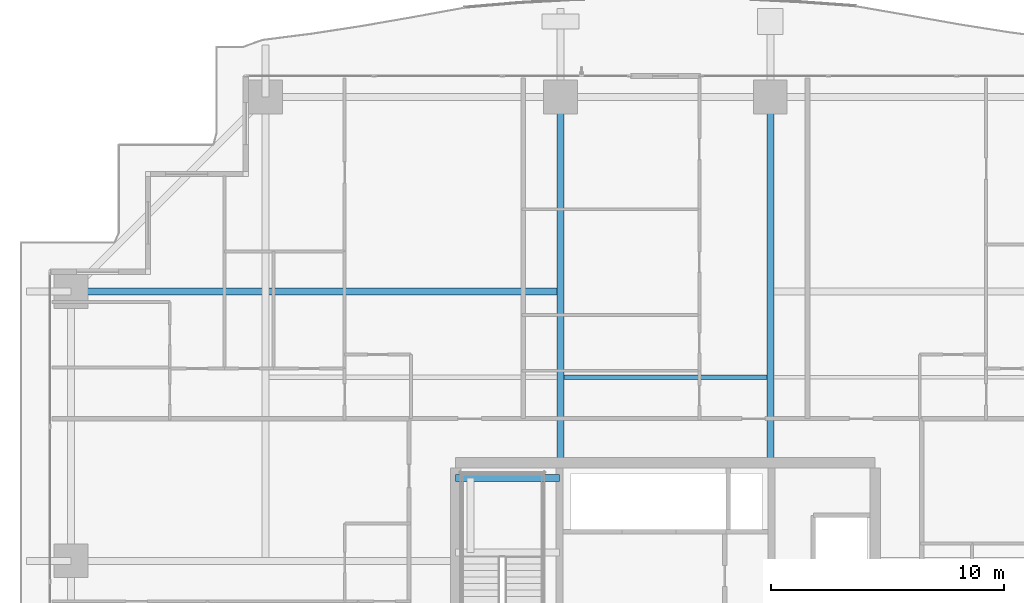
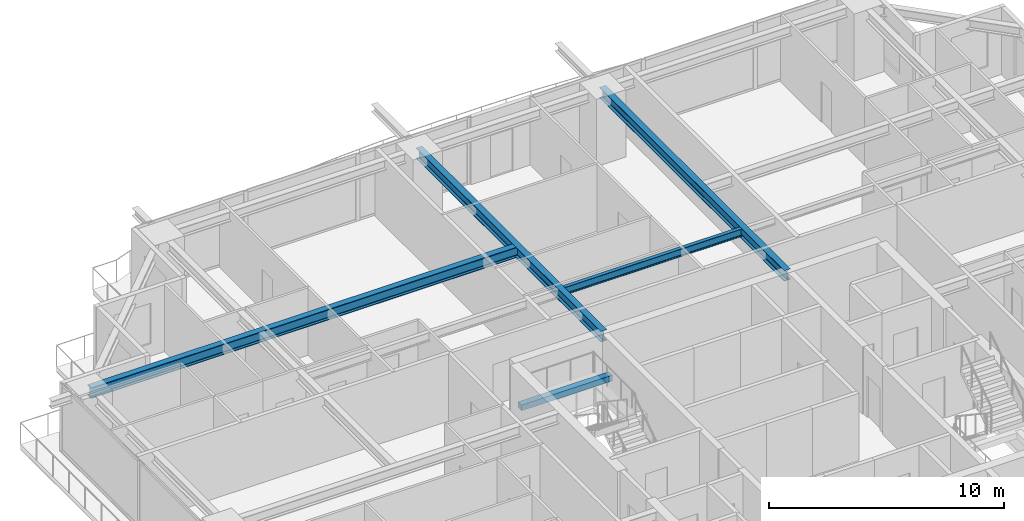
# One storey, part 19 of 38: 5 beams.
"""IFC4 building model written with IfcOpenShell, lengths in metres."""

from ifc_helpers import new_model, si_unit, direction, frame, origin, origin_2d, place, context, subcontext, project, spatial, rectangle, i_section, extrude, source, transform, mapped, material, material_profile, profile_set, type_object, element, save


model = new_model("IFC4")

# Units and contexts
model_context = context("Model", 3, precision=1e-05, world=origin(), true_north=direction((0.0, 1.0)))
body_context = subcontext(model_context, "Body", "Model", "MODEL_VIEW")
ifc_project = project(units=[si_unit("LENGTHUNIT", "METRE"), si_unit("AREAUNIT", "SQUARE_METRE"), si_unit("VOLUMEUNIT", "CUBIC_METRE"), si_unit("PLANEANGLEUNIT", "RADIAN"), si_unit("MASSUNIT", "GRAM", prefix="KILO")], contexts=[model_context])

# Site, building, storey
site_placement = place(None, origin())
site = spatial("IfcSite", under=ifc_project, at=site_placement, CompositionType="ELEMENT")
building_placement = place(site_placement, origin())
building = spatial("IfcBuilding", under=site, at=building_placement, Name="Serunith Strait Residences", CompositionType="ELEMENT")
storey_placement = place(building_placement, frame((0.0, 0.0, 30.449951171875)))
storey = spatial("IfcBuildingStorey", under=building, at=storey_placement, Name="L06", CompositionType="ELEMENT", Elevation=30.449951171875)

# Beams
ifc_material_1 = material(Name="Steel S355J2", Category="steel")
ifc_material_profile_1 = material_profile(ifc_material_1, i_section(OverallWidth=0.300048828125, OverallDepth=0.550048828125, WebThickness=0.014892578125, FlangeThickness=0.029052734375, FilletRadius=0.027099609375, at=origin_2d()), Name="HEB 550")
ifc_profile_set_1 = profile_set([ifc_material_profile_1], Name="Steel S355J2")
beam_type_1 = type_object("IfcBeamType", Name="BM-HEB550", PredefinedType="BEAM", material=ifc_profile_set_1)
shared_shape_1 = source(origin(), body_context, "Body", "SweptSolid", [
    extrude(i_section(OverallWidth=0.300048828125, OverallDepth=0.550048828125, WebThickness=0.014892578125, FlangeThickness=0.029052734375, FilletRadius=0.027099609375, at=origin_2d()), origin(), (0.0, 0.0, 1.0), 15.699951171875),
])
for number, where, z_axis, x_axis, name in (
    (1, (27.89990234375, 33.60009765625, 3.212158203125), (0.0, 1.0, 0.0), (-1.0, 0.0, 0.0), "L06 Primary Floor Girder TC-N2"),
    (2, (36.89990234375, 33.60009765625, 3.212158203125), (0.0, 1.0, 0.0), (-1.0, 0.0, 0.0), "L06 Primary Floor Girder TC-N3"),
):
    element("IfcBeam", number, at=place(storey_placement, frame(where, z_axis=z_axis, x_axis=x_axis)), inside=storey, type_object=beam_type_1, Name=name, PredefinedType="BEAM", context=body_context, shape_type="MappedRepresentation", body=[
        mapped(shared_shape_1, transform((0.0, 0.0, 0.0), scale=1.0)),
    ])
shared_shape_2 = source(origin(), body_context, "Body", "SweptSolid", [
    extrude(i_section(OverallWidth=0.300048828125, OverallDepth=0.550048828125, WebThickness=0.014892578125, FlangeThickness=0.029052734375, FilletRadius=0.027099609375, at=origin_2d()), origin(), (0.0, 0.0, 1.0), 21.0),
])
beam_1_placement = place(storey_placement, frame((27.89990234375, 40.949951171875, 3.212158203125), z_axis=(-1.0, 0.0, 0.0), x_axis=(0.0, -1.0, 0.0)))
element("IfcBeam", 3, at=beam_1_placement, inside=storey, type_object=beam_type_1, Name="L06 Orthogonal Corner Girder TC-W4", PredefinedType="BEAM", context=body_context, shape_type="MappedRepresentation", body=[
    mapped(shared_shape_2, transform((0.0, 0.0, 0.0), scale=1.0)),
])
ifc_material_profile_2 = material_profile(ifc_material_1, i_section(OverallWidth=0.179931640625, OverallDepth=0.39990234375, WebThickness=0.008544921875, FlangeThickness=0.013427734375, FilletRadius=0.02099609375, at=origin_2d()), Name="IPE 400")
ifc_profile_set_2 = profile_set([ifc_material_profile_2], Name="Steel S355J2")
beam_type_2 = type_object("IfcBeamType", Name="BM-IPE400", PredefinedType="JOIST", material=ifc_profile_set_2)
shared_shape_3 = source(origin(), body_context, "Body", "SweptSolid", [
    extrude(i_section(OverallWidth=0.179931640625, OverallDepth=0.39990234375, WebThickness=0.008544921875, FlangeThickness=0.013427734375, FilletRadius=0.02099609375, at=origin_2d()), origin(), (0.0, 0.0, 1.0), 8.699951171875),
])
beam_2_placement = place(storey_placement, frame((28.050048828125, 37.27490234375, 3.287109375), z_axis=(1.0, 0.0, 0.0), x_axis=(0.0, 1.0, 0.0)))
element("IfcBeam", 4, at=beam_2_placement, inside=storey, type_object=beam_type_2, Name="L06 Composite Floor Joist 05", PredefinedType="JOIST", context=body_context, shape_type="MappedRepresentation", body=[
    mapped(shared_shape_3, transform((0.0, 0.0, 0.0), scale=1.0)),
])
ifc_material_2 = material(Name="Concrete C60/75", Category="concrete")
ifc_material_profile_3 = material_profile(ifc_material_2, rectangle(XDim=0.300048828125, YDim=0.300048828125, at=origin_2d()), Name="RC 300x300")
ifc_profile_set_3 = profile_set([ifc_material_profile_3], Name="Concrete C60/75")
beam_type_3 = type_object("IfcBeamType", Name="BM-LAND-300x300", PredefinedType="BEAM", material=ifc_profile_set_3)
shared_shape_4 = source(origin(), body_context, "Body", "SweptSolid", [
    extrude(rectangle(XDim=0.300048828125, YDim=0.300048828125, at=origin_2d()), origin(), (0.0, 0.0, 1.0), 4.4501953125),
])
beam_3_placement = place(storey_placement, frame((23.39990234375, 32.949951171875, 1.525146484375), z_axis=(1.0, 0.0, 0.0), x_axis=(0.0, 1.0, 0.0)))
element("IfcBeam", 5, at=beam_3_placement, inside=storey, type_object=beam_type_3, Name="L06 ST-1 Landing Support Beam 2", PredefinedType="BEAM", context=body_context, shape_type="MappedRepresentation", body=[
    mapped(shared_shape_4, transform((0.0, 0.0, 0.0), scale=1.0)),
])

save(model, "model.ifc")
